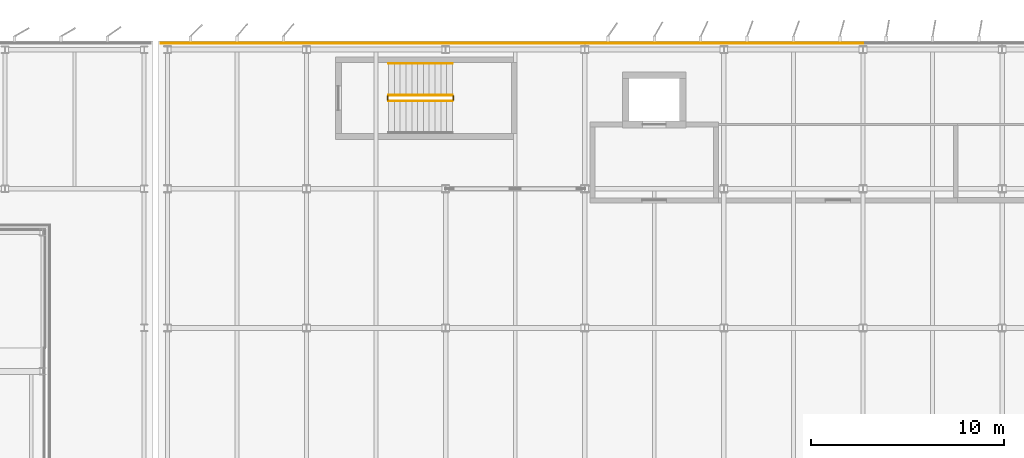
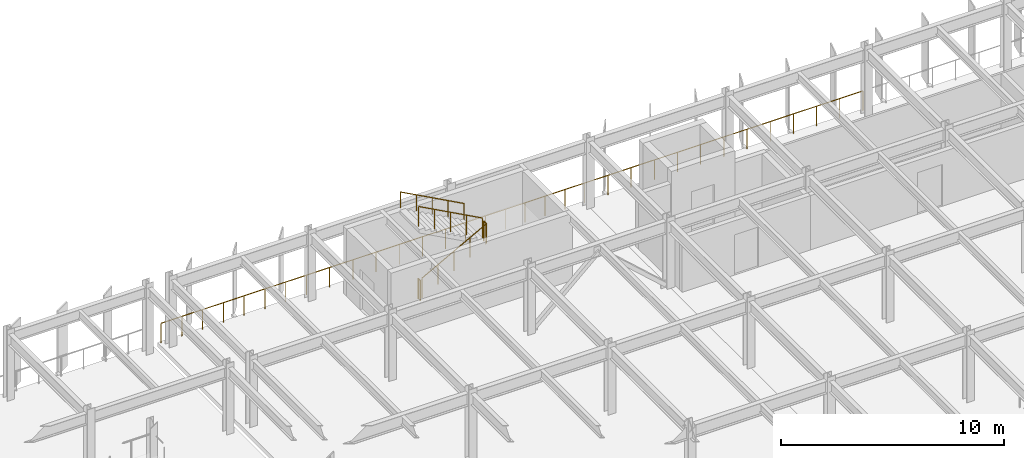
# One storey, part 81 of 93: 10 railings.
"""IFC4 building model written with IfcOpenShell, lengths in metres."""

from ifc_helpers import new_model, si_unit, direction, frame, origin, origin_2d, place, context, subcontext, project, spatial, circle, extrude, material, layer, layer_set, type_object, element, save


model = new_model("IFC4")

# Units and contexts
model_context = context("Model", 3, precision=1e-05, world=origin(), true_north=direction((0.0, 1.0)))
body_context = subcontext(model_context, "Body", "Model", "MODEL_VIEW")
ifc_project = project(units=[si_unit("LENGTHUNIT", "METRE"), si_unit("AREAUNIT", "SQUARE_METRE"), si_unit("VOLUMEUNIT", "CUBIC_METRE"), si_unit("PLANEANGLEUNIT", "RADIAN"), si_unit("MASSUNIT", "GRAM", prefix="KILO")], contexts=[model_context])

# Site, building, storey
site_placement = place(None, origin())
site = spatial("IfcSite", under=ifc_project, at=site_placement, CompositionType="ELEMENT")
building_placement = place(site_placement, origin())
building = spatial("IfcBuilding", under=site, at=building_placement, Name="Vaelcorin Mobility Hub", CompositionType="ELEMENT")
storey_placement = place(building_placement, frame((0.0, 0.0, 5.39990234375)))
storey = spatial("IfcBuildingStorey", under=building, at=storey_placement, Name="L01", CompositionType="ELEMENT", Elevation=5.39990234375)

# Railings
ifc_material_1 = material(Name="Galvanised structural steel ASTM A36", Category="steel")
ifc_layer_1 = layer(ifc_material_1, 0.070068359375)
ifc_layer_set_1 = layer_set([ifc_layer_1], Name="Galvanised structural steel ASTM A36")
railing_type_1 = type_object("IfcRailingType", Name="RL-GUARD-1100", PredefinedType="BALUSTRADE", material=ifc_layer_set_1)
railing_1_placement = place(storey_placement, frame((35.669921875, 120.330078125, 0.0)))
element("IfcRailing", 1, at=railing_1_placement, inside=storey, type_object=railing_type_1, Name="L01 Perimeter Guard GR-V4-L01-N-01-01", PredefinedType="BALUSTRADE", context=body_context, shape_type="SweptSolid", body=[
    extrude(circle(Radius=0.02392578125, at=origin_2d()), frame((0.0, 0.0, 1.076171875), z_axis=(1.0, 0.0, 0.0), x_axis=(0.0, 1.0, 0.0)), (0.0, 0.0, 1.0), 7.530029296875),
    extrude(circle(Radius=0.02099609375, at=origin_2d()), origin(), (0.0, 0.0, 1.0), 1.052001953125),
    extrude(circle(Radius=0.02099609375, at=origin_2d()), frame((1.07568359375, 0.0, 0.0)), (0.0, 0.0, 1.0), 1.052001953125),
    extrude(circle(Radius=0.02099609375, at=origin_2d()), frame((2.1513671875, 0.0, 0.0)), (0.0, 0.0, 1.0), 1.052001953125),
    extrude(circle(Radius=0.02099609375, at=origin_2d()), frame((3.22705078125, 0.0, 0.0)), (0.0, 0.0, 1.0), 1.052001953125),
    extrude(circle(Radius=0.02099609375, at=origin_2d()), frame((4.302978515625, 0.0, 0.0)), (0.0, 0.0, 1.0), 1.052001953125),
    extrude(circle(Radius=0.02099609375, at=origin_2d()), frame((5.378662109375, 0.0, 0.0)), (0.0, 0.0, 1.0), 1.052001953125),
    extrude(circle(Radius=0.02099609375, at=origin_2d()), frame((6.454345703125, 0.0, 0.0)), (0.0, 0.0, 1.0), 1.052001953125),
    extrude(circle(Radius=0.02099609375, at=origin_2d()), frame((7.530029296875, 0.0, 0.0)), (0.0, 0.0, 1.0), 1.052001953125),
])
railing_2_placement = place(storey_placement, frame((43.199951171875, 120.330078125, 0.0)))
element("IfcRailing", 2, at=railing_2_placement, inside=storey, type_object=railing_type_1, Name="L01 Perimeter Guard GR-V4-L01-N-02-01", PredefinedType="BALUSTRADE", context=body_context, shape_type="SweptSolid", body=[
    extrude(circle(Radius=0.02392578125, at=origin_2d()), frame((0.0, 0.0, 1.076171875), z_axis=(1.0, 0.0, 0.0), x_axis=(0.0, 1.0, 0.0)), (0.0, 0.0, 1.0), 7.199951171875),
    extrude(circle(Radius=0.02099609375, at=origin_2d()), origin(), (0.0, 0.0, 1.0), 1.052001953125),
    extrude(circle(Radius=0.02099609375, at=origin_2d()), frame((1.199951171875, 0.0, 0.0)), (0.0, 0.0, 1.0), 1.052001953125),
    extrude(circle(Radius=0.02099609375, at=origin_2d()), frame((2.39990234375, 0.0, 0.0)), (0.0, 0.0, 1.0), 1.052001953125),
    extrude(circle(Radius=0.02099609375, at=origin_2d()), frame((3.60009765625, 0.0, 0.0)), (0.0, 0.0, 1.0), 1.052001953125),
    extrude(circle(Radius=0.02099609375, at=origin_2d()), frame((4.800048828125, 0.0, 0.0)), (0.0, 0.0, 1.0), 1.052001953125),
    extrude(circle(Radius=0.02099609375, at=origin_2d()), frame((6.0, 0.0, 0.0)), (0.0, 0.0, 1.0), 1.052001953125),
    extrude(circle(Radius=0.02099609375, at=origin_2d()), frame((7.199951171875, 0.0, 0.0)), (0.0, 0.0, 1.0), 1.052001953125),
])
railing_3_placement = place(storey_placement, frame((50.39990234375, 120.330078125, 0.0)))
element("IfcRailing", 3, at=railing_3_placement, inside=storey, type_object=railing_type_1, Name="L01 Perimeter Guard GR-V4-L01-N-03-01", PredefinedType="BALUSTRADE", context=body_context, shape_type="SweptSolid", body=[
    extrude(circle(Radius=0.02392578125, at=origin_2d()), frame((0.0, 0.0, 1.076171875), z_axis=(1.0, 0.0, 0.0), x_axis=(0.0, 1.0, 0.0)), (0.0, 0.0, 1.0), 7.2001953125),
    extrude(circle(Radius=0.02099609375, at=origin_2d()), origin(), (0.0, 0.0, 1.0), 1.052001953125),
    extrude(circle(Radius=0.02099609375, at=origin_2d()), frame((1.028564453125, 0.0, 0.0)), (0.0, 0.0, 1.0), 1.052001953125),
    extrude(circle(Radius=0.02099609375, at=origin_2d()), frame((2.05712890625, 0.0, 0.0)), (0.0, 0.0, 1.0), 1.052001953125),
    extrude(circle(Radius=0.02099609375, at=origin_2d()), frame((3.085693359375, 0.0, 0.0)), (0.0, 0.0, 1.0), 1.052001953125),
    extrude(circle(Radius=0.02099609375, at=origin_2d()), frame((4.114501953125, 0.0, 0.0)), (0.0, 0.0, 1.0), 1.052001953125),
    extrude(circle(Radius=0.02099609375, at=origin_2d()), frame((5.14306640625, 0.0, 0.0)), (0.0, 0.0, 1.0), 1.052001953125),
    extrude(circle(Radius=0.02099609375, at=origin_2d()), frame((6.171630859375, 0.0, 0.0)), (0.0, 0.0, 1.0), 1.052001953125),
    extrude(circle(Radius=0.02099609375, at=origin_2d()), frame((7.2001953125, 0.0, 0.0)), (0.0, 0.0, 1.0), 1.052001953125),
])
for number, where, name in (
    (4, (57.60009765625, 120.330078125, 0.0), "L01 Perimeter Guard GR-V4-L01-N-04-01"),
    (5, (64.800048828125, 120.330078125, 0.0), "L01 Perimeter Guard GR-V4-L01-N-05-01"),
):
    element("IfcRailing", number, at=place(storey_placement, frame(where)), inside=storey, type_object=railing_type_1, Name=name, PredefinedType="BALUSTRADE", context=body_context, shape_type="SweptSolid", body=[
        extrude(circle(Radius=0.02392578125, at=origin_2d()), frame((0.0, 0.0, 1.076171875), z_axis=(1.0, 0.0, 0.0), x_axis=(0.0, 1.0, 0.0)), (0.0, 0.0, 1.0), 7.199951171875),
        extrude(circle(Radius=0.02099609375, at=origin_2d()), origin(), (0.0, 0.0, 1.0), 1.052001953125),
        extrude(circle(Radius=0.02099609375, at=origin_2d()), frame((1.199951171875, 0.0, 0.0)), (0.0, 0.0, 1.0), 1.052001953125),
        extrude(circle(Radius=0.02099609375, at=origin_2d()), frame((2.39990234375, 0.0, 0.0)), (0.0, 0.0, 1.0), 1.052001953125),
        extrude(circle(Radius=0.02099609375, at=origin_2d()), frame((3.60009765625, 0.0, 0.0)), (0.0, 0.0, 1.0), 1.052001953125),
        extrude(circle(Radius=0.02099609375, at=origin_2d()), frame((4.800048828125, 0.0, 0.0)), (0.0, 0.0, 1.0), 1.052001953125),
        extrude(circle(Radius=0.02099609375, at=origin_2d()), frame((6.0, 0.0, 0.0)), (0.0, 0.0, 1.0), 1.052001953125),
        extrude(circle(Radius=0.02099609375, at=origin_2d()), frame((7.199951171875, 0.0, 0.0)), (0.0, 0.0, 1.0), 1.052001953125),
    ])
ifc_material_2 = material(Name="Brushed stainless steel 316L", Category="steel")
ifc_layer_2 = layer(ifc_material_2, 0.048095703125)
ifc_layer_set_2 = layer_set([ifc_layer_2], Name="Brushed stainless steel 316L")
railing_type_2 = type_object("IfcRailingType", Name="RL-STAIR-GRD", PredefinedType="GUARDRAIL", material=ifc_layer_set_2)
railing_4_placement = place(storey_placement, frame((47.449951171875, 117.340087890625, 0.16259765625)))
element("IfcRailing", 6, at=railing_4_placement, inside=storey, type_object=railing_type_2, Name="L01 ST3 stair guard 1", PredefinedType="GUARDRAIL", context=body_context, shape_type="SweptSolid", body=[
    extrude(circle(Radius=0.02392578125, at=origin_2d()), frame((0.0, 0.0, 1.076171875), z_axis=(0.879284020681, 0.0, 0.476297817521), x_axis=(0.0, 1.0, 0.0)), (0.0, 0.0, 1.0), 3.753173828125),
    extrude(circle(Radius=0.02099609375, at=origin_2d()), origin(), (0.0, 0.0, 1.0), 1.052001953125),
    extrude(circle(Radius=0.02099609375, at=origin_2d()), frame((0.824951171875, 0.0, 0.44677734375)), (0.0, 0.0, 1.0), 1.052001953125),
    extrude(circle(Radius=0.02099609375, at=origin_2d()), frame((1.64990234375, 0.0, 0.893798828125)), (0.0, 0.0, 1.0), 1.052001953125),
    extrude(circle(Radius=0.02099609375, at=origin_2d()), frame((2.47509765625, 0.0, 1.3408203125)), (0.0, 0.0, 1.0), 1.052001953125),
    extrude(circle(Radius=0.02099609375, at=origin_2d()), frame((3.300048828125, 0.0, 1.78759765625)), (0.0, 0.0, 1.0), 1.052001953125),
])
railing_5_placement = place(storey_placement, frame((50.800048828125, 117.389892578125, 1.9501953125)))
element("IfcRailing", 7, at=railing_5_placement, inside=storey, type_object=railing_type_2, Name="L01 ST3 stair guard 2", PredefinedType="GUARDRAIL", context=body_context, shape_type="SweptSolid", body=[
    extrude(circle(Radius=0.02392578125, at=origin_2d()), frame((0.0, 0.0, 1.076171875), z_axis=(0.0, 1.0, 0.0), x_axis=(-1.0, 0.0, 0.0)), (0.0, 0.0, 1.0), 0.2001953125),
    extrude(circle(Radius=0.02099609375, at=origin_2d()), origin(), (0.0, 0.0, 1.0), 1.052001953125),
    extrude(circle(Radius=0.02099609375, at=origin_2d()), frame((0.0, 0.2001953125, 0.0)), (0.0, 0.0, 1.0), 1.052001953125),
])
railing_6_placement = place(storey_placement, frame((50.75, 117.639892578125, 2.112548828125)))
element("IfcRailing", 8, at=railing_6_placement, inside=storey, type_object=railing_type_2, Name="L01 ST3 stair guard 3", PredefinedType="GUARDRAIL", context=body_context, shape_type="SweptSolid", body=[
    extrude(circle(Radius=0.02392578125, at=origin_2d()), frame((0.0, 0.0, 1.076171875), z_axis=(-0.879284020681, 0.0, 0.476297817521), x_axis=(0.0, -1.0, 0.0)), (0.0, 0.0, 1.0), 3.753173828125),
    extrude(circle(Radius=0.02099609375, at=origin_2d()), origin(), (0.0, 0.0, 1.0), 1.052001953125),
    extrude(circle(Radius=0.02099609375, at=origin_2d()), frame((-0.824951171875, 0.0, 0.44677734375)), (0.0, 0.0, 1.0), 1.052001953125),
    extrude(circle(Radius=0.02099609375, at=origin_2d()), frame((-1.64990234375, 0.0, 0.893798828125)), (0.0, 0.0, 1.0), 1.052001953125),
    extrude(circle(Radius=0.02099609375, at=origin_2d()), frame((-2.47509765625, 0.0, 1.3408203125)), (0.0, 0.0, 1.0), 1.052001953125),
    extrude(circle(Radius=0.02099609375, at=origin_2d()), frame((-3.300048828125, 0.0, 1.78759765625)), (0.0, 0.0, 1.0), 1.052001953125),
])
railing_7_placement = place(storey_placement, frame((47.39990234375, 117.389892578125, 0.0)))
element("IfcRailing", 9, at=railing_7_placement, inside=storey, type_object=railing_type_2, Name="L01 ST3 stair guard 4", PredefinedType="GUARDRAIL", context=body_context, shape_type="SweptSolid", body=[
    extrude(circle(Radius=0.02392578125, at=origin_2d()), frame((0.0, 0.0, 1.076171875), z_axis=(0.0, 1.0, 0.0), x_axis=(-1.0, 0.0, 0.0)), (0.0, 0.0, 1.0), 0.2001953125),
    extrude(circle(Radius=0.02099609375, at=origin_2d()), origin(), (0.0, 0.0, 1.0), 1.052001953125),
    extrude(circle(Radius=0.02099609375, at=origin_2d()), frame((0.0, 0.2001953125, 0.0)), (0.0, 0.0, 1.0), 1.052001953125),
])
ifc_layer_3 = layer(ifc_material_2, 0.048095703125)
ifc_layer_set_3 = layer_set([ifc_layer_3], Name="Brushed stainless steel 316L")
railing_type_3 = type_object("IfcRailingType", Name="RL-STAIR-HR", PredefinedType="HANDRAIL", material=ifc_layer_set_3)
railing_8_placement = place(storey_placement, frame((50.75, 119.280029296875, 2.112548828125)))
element("IfcRailing", 10, at=railing_8_placement, inside=storey, type_object=railing_type_3, Name="L01 ST3 stair handrail 2", PredefinedType="HANDRAIL", context=body_context, shape_type="SweptSolid", body=[
    extrude(circle(Radius=0.02392578125, at=origin_2d()), frame((0.0, 0.0, 0.8759765625), z_axis=(-0.879284020681, 0.0, 0.476297817521), x_axis=(0.0, -1.0, 0.0)), (0.0, 0.0, 1.0), 3.753173828125),
    extrude(circle(Radius=0.02099609375, at=origin_2d()), origin(), (0.0, 0.0, 1.0), 0.851806640625),
    extrude(circle(Radius=0.02099609375, at=origin_2d()), frame((-0.824951171875, 0.0, 0.44677734375)), (0.0, 0.0, 1.0), 0.851806640625),
    extrude(circle(Radius=0.02099609375, at=origin_2d()), frame((-1.64990234375, 0.0, 0.893798828125)), (0.0, 0.0, 1.0), 0.851806640625),
    extrude(circle(Radius=0.02099609375, at=origin_2d()), frame((-2.47509765625, 0.0, 1.3408203125)), (0.0, 0.0, 1.0), 0.851806640625),
    extrude(circle(Radius=0.02099609375, at=origin_2d()), frame((-3.300048828125, 0.0, 1.78759765625)), (0.0, 0.0, 1.0), 0.851806640625),
])

save(model, "model.ifc")
